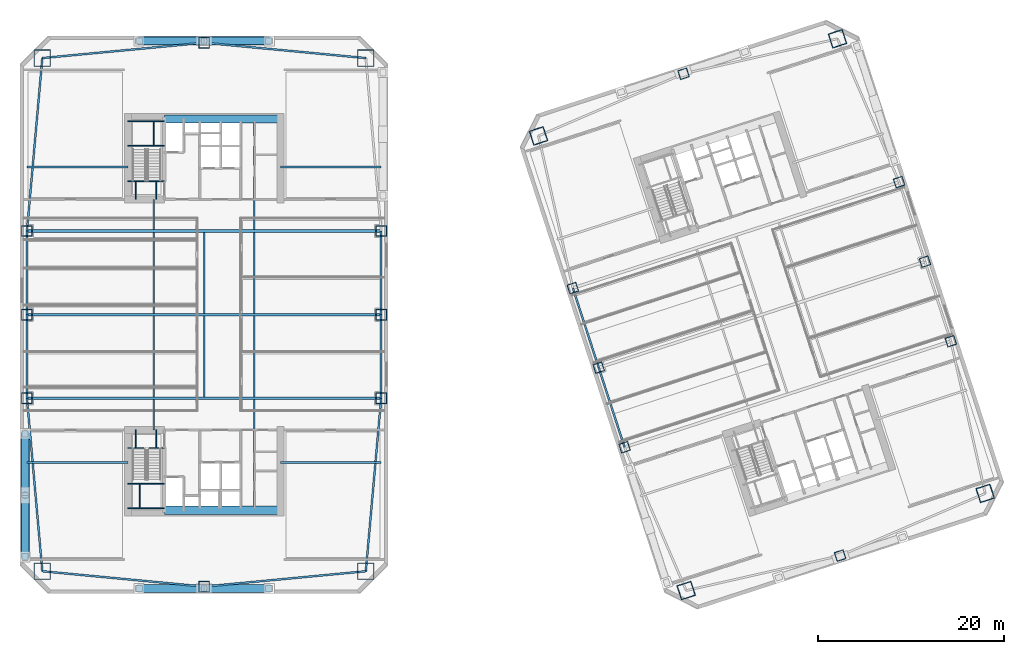
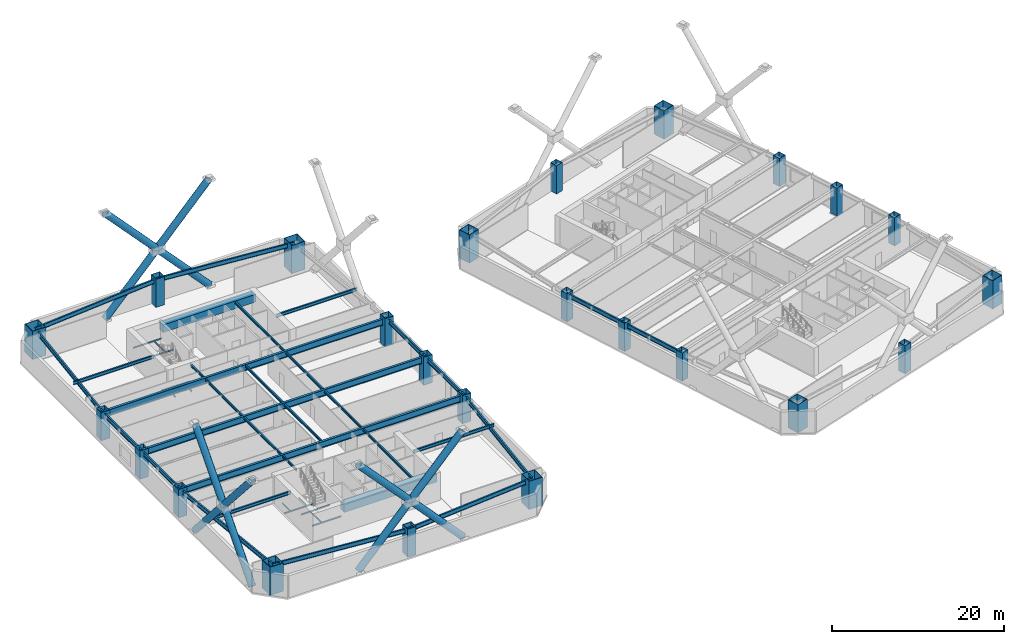
# One storey, part 1 of 18: 44 beams, 24 columns, 12 members.
"""IFC4 building model written with IfcOpenShell, lengths in metres."""

from ifc_helpers import new_model, si_unit, direction, frame, origin, origin_2d, place, context, subcontext, project, spatial, rectangle, hollow_rectangle, hollow_circle, i_section, extrude, material, material_profile, profile_set, type_object, element, save


model = new_model("IFC4")

# Units and contexts
model_context = context("Model", 3, precision=1e-05, world=origin(), true_north=direction((0.0, 1.0)))
body_context = subcontext(model_context, "Body", "Model", "MODEL_VIEW")
ifc_project = project(units=[si_unit("LENGTHUNIT", "METRE"), si_unit("AREAUNIT", "SQUARE_METRE"), si_unit("VOLUMEUNIT", "CUBIC_METRE"), si_unit("PLANEANGLEUNIT", "RADIAN"), si_unit("MASSUNIT", "GRAM", prefix="KILO")], contexts=[model_context])

# Site, building, storey
site_placement = place(None, origin())
site = spatial("IfcSite", under=ifc_project, at=site_placement, CompositionType="ELEMENT")
building_placement = place(site_placement, origin())
building = spatial("IfcBuilding", under=site, at=building_placement, Name="Qiaolan Cultural Towers", CompositionType="ELEMENT")
storey_placement = place(building_placement, frame((0.0, 0.0, 42.0)))
storey = spatial("IfcBuildingStorey", under=building, at=storey_placement, Name="L09", CompositionType="ELEMENT", Elevation=42.0)

# Columns
ifc_material_1 = material(Name="Steel Q355B", Category="steel")
ifc_material_profile_1 = material_profile(ifc_material_1, hollow_rectangle(XDim=1.0, YDim=1.0, WallThickness=0.035888671875, at=origin_2d()), Name="BOX1000x1000x36")
ifc_profile_set_1 = profile_set([ifc_material_profile_1], Name="Steel Q355B")
column_type_1 = type_object("IfcColumnType", Name="COL-BOX1000x1000x36", PredefinedType="COLUMN", material=ifc_profile_set_1)
for number, where, z_axis, x_axis, name in (
    (1, (75.234130859375, 19.739013671875, 0.0), (0.0, 0.0, 1.0), (0.951056516295, 0.309016994375, 0.0), "L09 T2 Perimeter Column PC-W1"),
    (2, (72.453125, 28.298583984375, 0.0), (0.0, 0.0, 1.0), (0.951056516295, 0.309016994375, 0.0), "L09 T2 Perimeter Column PC-W2"),
    (3, (69.671875, 36.858154296875, 0.0), (0.0, 0.0, 1.0), (0.951056516295, 0.309016994375, 0.0), "L09 T2 Perimeter Column PC-W3"),
    (4, (110.328125, 31.141845703125, 0.0), (0.0, 0.0, 1.0), (0.951056516295, 0.309016994375, 0.0), "L09 T2 Perimeter Column PC-E1"),
    (5, (107.546875, 39.701416015625, 0.0), (0.0, 0.0, 1.0), (0.951056516295, 0.309016994375, 0.0), "L09 T2 Perimeter Column PC-E2"),
    (6, (104.765869140625, 48.260986328125, 0.0), (0.0, 0.0, 1.0), (0.951056516295, 0.309016994375, 0.0), "L09 T2 Perimeter Column PC-E3"),
    (7, (98.420654296875, 8.083740234375, 0.0), (0.0, 0.0, 1.0), (0.951056516295, 0.309016994375, 0.0), "L09 T2 Perimeter Column PC-S0"),
    (8, (81.579345703125, 59.916259765625, 0.0), (0.0, 0.0, 1.0), (0.951056516295, 0.309016994375, 0.0), "L09 T2 Perimeter Column PC-N0"),
):
    element("IfcColumn", number, at=place(storey_placement, frame(where, z_axis=z_axis, x_axis=x_axis)), inside=storey, type_object=column_type_1, Name=name, PredefinedType="COLUMN", context=body_context, shape_type="SweptSolid", body=[
        extrude(hollow_rectangle(XDim=1.0, YDim=1.0, WallThickness=0.035888671875, at=origin_2d()), origin(), (0.0, 0.0, 1.0), 4.0009765625),
    ])
ifc_material_2 = material(Name="Steel Q390GJB", Category="steel")
ifc_material_profile_2 = material_profile(ifc_material_2, hollow_rectangle(XDim=1.14990234375, YDim=1.14990234375, WallThickness=0.0400390625, at=origin_2d()), Name="BOX1150x1150x40")
ifc_profile_set_2 = profile_set([ifc_material_profile_2], Name="Steel Q390GJB")
column_type_2 = type_object("IfcColumnType", Name="COL-BOX1150x1150x40", PredefinedType="COLUMN", material=ifc_profile_set_2)
for number, where, z_axis, x_axis, name in (
    (9, (10.949951171875, 25.0, 0.0), (0.0, 0.0, 1.0), (1.0, 0.0, 0.0), "L09 T1 Perimeter Column PC-W1"),
    (10, (10.949951171875, 34.0, 0.0), (0.0, 0.0, 1.0), (1.0, 0.0, 0.0), "L09 T1 Perimeter Column PC-W2"),
    (11, (10.949951171875, 43.0, 0.0), (0.0, 0.0, 1.0), (1.0, 0.0, 0.0), "L09 T1 Perimeter Column PC-W3"),
    (12, (49.050048828125, 25.0, 0.0), (0.0, 0.0, 1.0), (1.0, 0.0, 0.0), "L09 T1 Perimeter Column PC-E1"),
    (13, (49.050048828125, 34.0, 0.0), (0.0, 0.0, 1.0), (1.0, 0.0, 0.0), "L09 T1 Perimeter Column PC-E2"),
    (14, (49.050048828125, 43.0, 0.0), (0.0, 0.0, 1.0), (1.0, 0.0, 0.0), "L09 T1 Perimeter Column PC-E3"),
    (15, (30.0, 4.75, 0.0), (0.0, 0.0, 1.0), (1.0, 0.0, 0.0), "L09 T1 Perimeter Column PC-S0"),
    (16, (30.0, 63.25, 0.0), (0.0, 0.0, 1.0), (1.0, 0.0, 0.0), "L09 T1 Perimeter Column PC-N0"),
):
    element("IfcColumn", number, at=place(storey_placement, frame(where, z_axis=z_axis, x_axis=x_axis)), inside=storey, type_object=column_type_2, Name=name, PredefinedType="COLUMN", context=body_context, shape_type="SweptSolid", body=[
        extrude(hollow_rectangle(XDim=1.14990234375, YDim=1.14990234375, WallThickness=0.0400390625, at=origin_2d()), origin(), (0.0, 0.0, 1.0), 4.0009765625),
    ])
ifc_material_3 = material(Name="Steel Q420GJB", Category="steel")
ifc_material_profile_3 = material_profile(ifc_material_3, hollow_rectangle(XDim=1.60009765625, YDim=1.60009765625, WallThickness=0.054931640625, at=origin_2d()), Name="BOX1600x1600x55")
ifc_profile_set_3 = profile_set([ifc_material_profile_3], Name="Steel Q420GJB")
column_type_3 = type_object("IfcColumnType", Name="COL-BOX1600x1600x55", PredefinedType="COLUMN", material=ifc_profile_set_3)
for number, where, z_axis, x_axis, name in (
    (17, (81.862548828125, 4.32275390625, 0.0), (0.0, 0.0, 1.0), (0.951056516295, 0.309016994375, 0.0), "L09 T2 Perimeter Column MC-SW"),
    (18, (114.027099609375, 14.77392578125, 0.0), (0.0, 0.0, 1.0), (0.951056516295, 0.309016994375, 0.0), "L09 T2 Perimeter Column MC-SE"),
    (19, (98.137451171875, 63.67724609375, 0.0), (0.0, 0.0, 1.0), (0.951056516295, 0.309016994375, 0.0), "L09 T2 Perimeter Column MC-NE"),
    (20, (65.972900390625, 53.22607421875, 0.0), (0.0, 0.0, 1.0), (0.951056516295, 0.309016994375, 0.0), "L09 T2 Perimeter Column MC-NW"),
):
    element("IfcColumn", number, at=place(storey_placement, frame(where, z_axis=z_axis, x_axis=x_axis)), inside=storey, type_object=column_type_3, Name=name, PredefinedType="COLUMN", context=body_context, shape_type="SweptSolid", body=[
        extrude(hollow_rectangle(XDim=1.60009765625, YDim=1.60009765625, WallThickness=0.054931640625, at=origin_2d()), origin(), (0.0, 0.0, 1.0), 4.0009765625),
    ])
ifc_material_4 = material(Name="Steel Q420GJB", Category="steel")
ifc_material_profile_4 = material_profile(ifc_material_4, hollow_rectangle(XDim=1.800048828125, YDim=1.800048828125, WallThickness=0.06005859375, at=origin_2d()), Name="BOX1800x1800x60")
ifc_profile_set_4 = profile_set([ifc_material_profile_4], Name="Steel Q420GJB")
column_type_4 = type_object("IfcColumnType", Name="COL-BOX1800x1800x60", PredefinedType="COLUMN", material=ifc_profile_set_4)
for number, where, z_axis, x_axis, name in (
    (21, (12.60009765625, 6.39990234375, 0.0), (0.0, 0.0, 1.0), (1.0, 0.0, 0.0), "L09 T1 Perimeter Column MC-SW"),
    (22, (47.39990234375, 6.39990234375, 0.0), (0.0, 0.0, 1.0), (1.0, 0.0, 0.0), "L09 T1 Perimeter Column MC-SE"),
    (23, (47.39990234375, 61.60009765625, 0.0), (0.0, 0.0, 1.0), (1.0, 0.0, 0.0), "L09 T1 Perimeter Column MC-NE"),
    (24, (12.60009765625, 61.60009765625, 0.0), (0.0, 0.0, 1.0), (1.0, 0.0, 0.0), "L09 T1 Perimeter Column MC-NW"),
):
    element("IfcColumn", number, at=place(storey_placement, frame(where, z_axis=z_axis, x_axis=x_axis)), inside=storey, type_object=column_type_4, Name=name, PredefinedType="COLUMN", context=body_context, shape_type="SweptSolid", body=[
        extrude(hollow_rectangle(XDim=1.800048828125, YDim=1.800048828125, WallThickness=0.06005859375, at=origin_2d()), origin(), (0.0, 0.0, 1.0), 4.0009765625),
    ])

# Beams
ifc_material_5 = material(Name="Steel Q355B", Category="steel")
ifc_material_profile_5 = material_profile(ifc_material_5, i_section(OverallWidth=0.300048828125, OverallDepth=0.89990234375, WebThickness=0.01611328125, FlangeThickness=0.028076171875, at=origin_2d()), Name="HN900x300x16x28")
ifc_profile_set_5 = profile_set([ifc_material_profile_5], Name="Steel Q355B")
beam_type_1 = type_object("IfcBeamType", Name="BM-HN900x300x16x28", PredefinedType="BEAM", material=ifc_profile_set_5)
for number, where, z_axis, x_axis, name in (
    (25, (10.949951171875, 25.0, 3.27001953125), (1.0, 0.0, 0.0), (0.0, 1.0, 0.0), "L09 T1 Primary Transverse Girder V1"),
    (26, (10.949951171875, 34.0, 3.27001953125), (1.0, 0.0, 0.0), (0.0, 1.0, 0.0), "L09 T1 Primary Transverse Girder V2"),
    (27, (10.949951171875, 43.0, 3.27001953125), (1.0, 0.0, 0.0), (0.0, 1.0, 0.0), "L09 T1 Primary Transverse Girder V3"),
):
    element("IfcBeam", number, at=place(storey_placement, frame(where, z_axis=z_axis, x_axis=x_axis)), inside=storey, type_object=beam_type_1, Name=name, PredefinedType="BEAM", context=body_context, shape_type="SweptSolid", body=[
        extrude(i_section(OverallWidth=0.300048828125, OverallDepth=0.89990234375, WebThickness=0.01611328125, FlangeThickness=0.028076171875, at=origin_2d()), origin(), (0.0, 0.0, 1.0), 38.10009765625),
    ])
ifc_material_6 = material(Name="Steel Q355B", Category="steel")
ifc_material_profile_6 = material_profile(ifc_material_6, i_section(OverallWidth=0.175048828125, OverallDepth=0.35009765625, WebThickness=0.007080078125, FlangeThickness=0.010986328125, at=origin_2d()), Name="HN350x175x7x11")
ifc_profile_set_6 = profile_set([ifc_material_profile_6], Name="Steel Q355B")
beam_type_2 = type_object("IfcBeamType", Name="BM-JST-HN350x175x7x11", PredefinedType="JOIST", material=ifc_profile_set_6)
beam_1_placement = place(storey_placement, frame((24.60009765625, 21.60009765625, 3.544921875), z_axis=(0.0, 1.0, 0.0), x_axis=(-1.0, 0.0, 0.0)))
element("IfcBeam", 28, at=beam_1_placement, inside=storey, type_object=beam_type_2, Name="L09 T1 Secondary Floor Joist U1-1", PredefinedType="JOIST", context=body_context, shape_type="SweptSolid", body=[
    extrude(i_section(OverallWidth=0.175048828125, OverallDepth=0.35009765625, WebThickness=0.007080078125, FlangeThickness=0.010986328125, at=origin_2d()), origin(), (0.0, 0.0, 1.0), 3.25),
])
for number, where, z_axis, x_axis, name in (
    (29, (24.60009765625, 25.14990234375, 3.544921875), (0.0, 1.0, 0.0), (-1.0, 0.0, 0.0), "L09 T1 Secondary Floor Joist U1-2"),
    (30, (24.60009765625, 34.14990234375, 3.544921875), (0.0, 1.0, 0.0), (-1.0, 0.0, 0.0), "L09 T1 Secondary Floor Joist U1-3"),
):
    element("IfcBeam", number, at=place(storey_placement, frame(where, z_axis=z_axis, x_axis=x_axis)), inside=storey, type_object=beam_type_2, Name=name, PredefinedType="JOIST", context=body_context, shape_type="SweptSolid", body=[
        extrude(i_section(OverallWidth=0.175048828125, OverallDepth=0.35009765625, WebThickness=0.007080078125, FlangeThickness=0.010986328125, at=origin_2d()), origin(), (0.0, 0.0, 1.0), 8.7001953125),
    ])
beam_2_placement = place(storey_placement, frame((24.60009765625, 43.14990234375, 3.544921875), z_axis=(0.0, 1.0, 0.0), x_axis=(-1.0, 0.0, 0.0)))
element("IfcBeam", 31, at=beam_2_placement, inside=storey, type_object=beam_type_2, Name="L09 T1 Secondary Floor Joist U1-4", PredefinedType="JOIST", context=body_context, shape_type="SweptSolid", body=[
    extrude(i_section(OverallWidth=0.175048828125, OverallDepth=0.35009765625, WebThickness=0.007080078125, FlangeThickness=0.010986328125, at=origin_2d()), origin(), (0.0, 0.0, 1.0), 3.25),
])
for number, where, z_axis, x_axis, name in (
    (32, (30.0, 25.14990234375, 3.544921875), (0.0, 1.0, 0.0), (-1.0, 0.0, 0.0), "L09 T1 Secondary Floor Joist U2-2"),
    (33, (30.0, 34.14990234375, 3.544921875), (0.0, 1.0, 0.0), (-1.0, 0.0, 0.0), "L09 T1 Secondary Floor Joist U2-3"),
):
    element("IfcBeam", number, at=place(storey_placement, frame(where, z_axis=z_axis, x_axis=x_axis)), inside=storey, type_object=beam_type_2, Name=name, PredefinedType="JOIST", context=body_context, shape_type="SweptSolid", body=[
        extrude(i_section(OverallWidth=0.175048828125, OverallDepth=0.35009765625, WebThickness=0.007080078125, FlangeThickness=0.010986328125, at=origin_2d()), origin(), (0.0, 0.0, 1.0), 8.7001953125),
    ])
beam_3_placement = place(storey_placement, frame((35.39990234375, 13.39990234375, 3.544921875), z_axis=(0.0, 1.0, 0.0), x_axis=(-1.0, 0.0, 0.0)))
element("IfcBeam", 34, at=beam_3_placement, inside=storey, type_object=beam_type_2, Name="L09 T1 Secondary Floor Joist U3-1", PredefinedType="JOIST", context=body_context, shape_type="SweptSolid", body=[
    extrude(i_section(OverallWidth=0.175048828125, OverallDepth=0.35009765625, WebThickness=0.007080078125, FlangeThickness=0.010986328125, at=origin_2d()), origin(), (0.0, 0.0, 1.0), 11.4501953125),
])
for number, where, z_axis, x_axis, name in (
    (35, (35.39990234375, 25.14990234375, 3.544921875), (0.0, 1.0, 0.0), (-1.0, 0.0, 0.0), "L09 T1 Secondary Floor Joist U3-2"),
    (36, (35.39990234375, 34.14990234375, 3.544921875), (0.0, 1.0, 0.0), (-1.0, 0.0, 0.0), "L09 T1 Secondary Floor Joist U3-3"),
):
    element("IfcBeam", number, at=place(storey_placement, frame(where, z_axis=z_axis, x_axis=x_axis)), inside=storey, type_object=beam_type_2, Name=name, PredefinedType="JOIST", context=body_context, shape_type="SweptSolid", body=[
        extrude(i_section(OverallWidth=0.175048828125, OverallDepth=0.35009765625, WebThickness=0.007080078125, FlangeThickness=0.010986328125, at=origin_2d()), origin(), (0.0, 0.0, 1.0), 8.7001953125),
    ])
beam_4_placement = place(storey_placement, frame((35.39990234375, 43.14990234375, 3.544921875), z_axis=(0.0, 1.0, 0.0), x_axis=(-1.0, 0.0, 0.0)))
element("IfcBeam", 37, at=beam_4_placement, inside=storey, type_object=beam_type_2, Name="L09 T1 Secondary Floor Joist U3-4", PredefinedType="JOIST", context=body_context, shape_type="SweptSolid", body=[
    extrude(i_section(OverallWidth=0.175048828125, OverallDepth=0.35009765625, WebThickness=0.007080078125, FlangeThickness=0.010986328125, at=origin_2d()), origin(), (0.0, 0.0, 1.0), 11.4501953125),
])
ifc_material_7 = material(Name="Steel Q355B", Category="steel")
ifc_material_profile_7 = material_profile(ifc_material_7, i_section(OverallWidth=0.199951171875, OverallDepth=0.449951171875, WebThickness=0.009033203125, FlangeThickness=0.013916015625, at=origin_2d()), Name="HN450x200x9x14")
ifc_profile_set_7 = profile_set([ifc_material_profile_7], Name="Steel Q355B")
beam_type_3 = type_object("IfcBeamType", Name="BM-LNT-HN450x200x9x14", PredefinedType="LINTEL", material=ifc_profile_set_7)
for number, where, z_axis, x_axis, name in (
    (38, (21.800048828125, 18.10009765625, 3.4951171875), (-1.0, 0.0, 0.0), (0.0, -1.0, 0.0), "L09 T1 Core Flank Tie Lintel WS"),
    (39, (21.800048828125, 49.89990234375, 3.4951171875), (-1.0, 0.0, 0.0), (0.0, -1.0, 0.0), "L09 T1 Core Flank Tie Lintel WN"),
    (40, (38.199951171875, 18.10009765625, 3.4951171875), (1.0, 0.0, 0.0), (0.0, 1.0, 0.0), "L09 T1 Core Flank Tie Lintel ES"),
    (41, (38.199951171875, 49.89990234375, 3.4951171875), (1.0, 0.0, 0.0), (0.0, 1.0, 0.0), "L09 T1 Core Flank Tie Lintel EN"),
):
    element("IfcBeam", number, at=place(storey_placement, frame(where, z_axis=z_axis, x_axis=x_axis)), inside=storey, type_object=beam_type_3, Name=name, PredefinedType="LINTEL", context=body_context, shape_type="SweptSolid", body=[
        extrude(i_section(OverallWidth=0.199951171875, OverallDepth=0.449951171875, WebThickness=0.009033203125, FlangeThickness=0.013916015625, at=origin_2d()), origin(), (0.0, 0.0, 1.0), 10.85009765625),
    ])
ifc_material_8 = material(Name="Concrete C50", Category="concrete")
ifc_material_profile_8 = material_profile(ifc_material_8, rectangle(XDim=0.89990234375, YDim=1.10009765625, at=origin_2d()), Name="RC900x1100")
ifc_profile_set_8 = profile_set([ifc_material_profile_8], Name="Concrete C50")
beam_type_4 = type_object("IfcBeamType", Name="BM-RC900x1100", PredefinedType="BEAM", material=ifc_profile_set_8)
for number, where, z_axis, x_axis, name in (
    (42, (25.719970703125, 12.949951171875, 3.169921875), (1.0, 0.0, 0.0), (0.0, 1.0, 0.0), "L09 T1 Core Header Girder S"),
    (43, (25.719970703125, 55.050048828125, 3.169921875), (1.0, 0.0, 0.0), (0.0, 1.0, 0.0), "L09 T1 Core Header Girder N"),
):
    element("IfcBeam", number, at=place(storey_placement, frame(where, z_axis=z_axis, x_axis=x_axis)), inside=storey, type_object=beam_type_4, Name=name, PredefinedType="BEAM", context=body_context, shape_type="SweptSolid", body=[
        extrude(rectangle(XDim=0.89990234375, YDim=1.10009765625, at=origin_2d()), origin(), (0.0, 0.0, 1.0), 12.47998046875),
    ])
ifc_material_9 = material(Name="Steel Q355B", Category="steel")
ifc_material_profile_9 = material_profile(ifc_material_9, i_section(OverallWidth=0.199951171875, OverallDepth=0.60009765625, WebThickness=0.010986328125, FlangeThickness=0.01708984375, at=origin_2d()), Name="HN600x200x11x17")
ifc_profile_set_9 = profile_set([ifc_material_profile_9], Name="Steel Q355B")
beam_type_5 = type_object("IfcBeamType", Name="BM-SPD-HN600x200x11x17", PredefinedType="SPANDREL", material=ifc_profile_set_9)
for number, where, z_axis, x_axis, name in (
    (44, (12.60009765625, 6.39990234375, 3.419921875), (0.995534437156, -0.094399070104, 0.0), (0.094399070104, 0.995534437156, 0.0), "L09 T1 Perimeter Spandrel Beam 1"),
    (45, (30.0, 4.75, 3.419921875), (0.995534437156, 0.094399070104, 0.0), (-0.094399070104, 0.995534437156, 0.0), "L09 T1 Perimeter Spandrel Beam 2"),
):
    element("IfcBeam", number, at=place(storey_placement, frame(where, z_axis=z_axis, x_axis=x_axis)), inside=storey, type_object=beam_type_5, Name=name, PredefinedType="SPANDREL", context=body_context, shape_type="SweptSolid", body=[
        extrude(i_section(OverallWidth=0.199951171875, OverallDepth=0.60009765625, WebThickness=0.010986328125, FlangeThickness=0.01708984375, at=origin_2d()), origin(), (0.0, 0.0, 1.0), 17.47802734375),
    ])
beam_5_placement = place(storey_placement, frame((47.39990234375, 6.39990234375, 3.419921875), z_axis=(0.08837000091, 0.996087718496, 0.0), x_axis=(-0.996087718496, 0.08837000091, 0.0)))
element("IfcBeam", 46, at=beam_5_placement, inside=storey, type_object=beam_type_5, Name="L09 T1 Perimeter Spandrel Beam 3", PredefinedType="SPANDREL", context=body_context, shape_type="SweptSolid", body=[
    extrude(i_section(OverallWidth=0.199951171875, OverallDepth=0.60009765625, WebThickness=0.010986328125, FlangeThickness=0.01708984375, at=origin_2d()), origin(), (0.0, 0.0, 1.0), 18.673095703125),
])
for number, where, z_axis, x_axis, name in (
    (47, (49.050048828125, 25.0, 3.419921875), (0.0, 1.0, 0.0), (-1.0, 0.0, 0.0), "L09 T1 Perimeter Spandrel Beam 4"),
    (48, (49.050048828125, 34.0, 3.419921875), (0.0, 1.0, 0.0), (-1.0, 0.0, 0.0), "L09 T1 Perimeter Spandrel Beam 5"),
):
    element("IfcBeam", number, at=place(storey_placement, frame(where, z_axis=z_axis, x_axis=x_axis)), inside=storey, type_object=beam_type_5, Name=name, PredefinedType="SPANDREL", context=body_context, shape_type="SweptSolid", body=[
        extrude(i_section(OverallWidth=0.199951171875, OverallDepth=0.60009765625, WebThickness=0.010986328125, FlangeThickness=0.01708984375, at=origin_2d()), origin(), (0.0, 0.0, 1.0), 9.0),
    ])
for number, where, z_axis, x_axis, name in (
    (49, (47.39990234375, 61.60009765625, 3.419921875), (-0.995534437156, 0.094399070104, 0.0), (-0.094399070104, -0.995534437156, 0.0), "L09 T1 Perimeter Spandrel Beam 7"),
    (50, (30.0, 63.25, 3.419921875), (-0.995534437156, -0.094399070104, 0.0), (0.094399070104, -0.995534437156, 0.0), "L09 T1 Perimeter Spandrel Beam 8"),
):
    element("IfcBeam", number, at=place(storey_placement, frame(where, z_axis=z_axis, x_axis=x_axis)), inside=storey, type_object=beam_type_5, Name=name, PredefinedType="SPANDREL", context=body_context, shape_type="SweptSolid", body=[
        extrude(i_section(OverallWidth=0.199951171875, OverallDepth=0.60009765625, WebThickness=0.010986328125, FlangeThickness=0.01708984375, at=origin_2d()), origin(), (0.0, 0.0, 1.0), 17.47802734375),
    ])
beam_6_placement = place(storey_placement, frame((12.60009765625, 61.60009765625, 3.419921875), z_axis=(-0.08837000091, -0.996087718496, 0.0), x_axis=(0.996087718496, -0.08837000091, 0.0)))
element("IfcBeam", 51, at=beam_6_placement, inside=storey, type_object=beam_type_5, Name="L09 T1 Perimeter Spandrel Beam 9", PredefinedType="SPANDREL", context=body_context, shape_type="SweptSolid", body=[
    extrude(i_section(OverallWidth=0.199951171875, OverallDepth=0.60009765625, WebThickness=0.010986328125, FlangeThickness=0.01708984375, at=origin_2d()), origin(), (0.0, 0.0, 1.0), 18.673095703125),
])
for number, where, z_axis, x_axis, name in (
    (52, (10.949951171875, 43.0, 3.419921875), (0.0, -1.0, 0.0), (1.0, 0.0, 0.0), "L09 T1 Perimeter Spandrel Beam 10"),
    (53, (10.949951171875, 34.0, 3.419921875), (0.0, -1.0, 0.0), (1.0, 0.0, 0.0), "L09 T1 Perimeter Spandrel Beam 11"),
):
    element("IfcBeam", number, at=place(storey_placement, frame(where, z_axis=z_axis, x_axis=x_axis)), inside=storey, type_object=beam_type_5, Name=name, PredefinedType="SPANDREL", context=body_context, shape_type="SweptSolid", body=[
        extrude(i_section(OverallWidth=0.199951171875, OverallDepth=0.60009765625, WebThickness=0.010986328125, FlangeThickness=0.01708984375, at=origin_2d()), origin(), (0.0, 0.0, 1.0), 9.0),
    ])
beam_7_placement = place(storey_placement, frame((10.949951171875, 25.0, 3.419921875), z_axis=(0.08837000091, -0.996087718496, 0.0), x_axis=(0.996087718496, 0.08837000091, 0.0)))
element("IfcBeam", 54, at=beam_7_placement, inside=storey, type_object=beam_type_5, Name="L09 T1 Perimeter Spandrel Beam 12", PredefinedType="SPANDREL", context=body_context, shape_type="SweptSolid", body=[
    extrude(i_section(OverallWidth=0.199951171875, OverallDepth=0.60009765625, WebThickness=0.010986328125, FlangeThickness=0.01708984375, at=origin_2d()), origin(), (0.0, 0.0, 1.0), 18.673095703125),
])
for number, where, z_axis, x_axis, name in (
    (55, (69.671875, 36.858154296875, 3.419921875), (0.309024734286, -0.951054001411, 0.0), (0.951054001411, 0.309024734286, 0.0), "L09 T2 Perimeter Spandrel Beam 10"),
    (56, (72.453125, 28.298583984375, 3.419921875), (0.309000197986, -0.951061973609, 0.0), (0.951061973609, 0.309000197986, 0.0), "L09 T2 Perimeter Spandrel Beam 11"),
):
    element("IfcBeam", number, at=place(storey_placement, frame(where, z_axis=z_axis, x_axis=x_axis)), inside=storey, type_object=beam_type_5, Name=name, PredefinedType="SPANDREL", context=body_context, shape_type="SweptSolid", body=[
        extrude(i_section(OverallWidth=0.199951171875, OverallDepth=0.60009765625, WebThickness=0.010986328125, FlangeThickness=0.01708984375, at=origin_2d()), origin(), (0.0, 0.0, 1.0), 9.0),
    ])
ifc_material_10 = material(Name="Steel Q355B", Category="steel")
ifc_material_profile_10 = material_profile(ifc_material_10, i_section(OverallWidth=0.10009765625, OverallDepth=0.199951171875, WebThickness=0.005615234375, FlangeThickness=0.008056640625, at=origin_2d()), Name="HN200x100x5.5x8")
ifc_profile_set_10 = profile_set([ifc_material_profile_10], Name="Steel Q355B")
beam_type_6 = type_object("IfcBeamType", Name="BM-STTRIM-200", PredefinedType="BEAM", material=ifc_profile_set_10)
beam_8_placement = place(storey_placement, frame((21.800048828125, 19.659912109375, -0.4599609375), z_axis=(1.0, 0.0, 0.0), x_axis=(0.0, 1.0, 0.0)))
element("IfcBeam", 57, at=beam_8_placement, inside=storey, type_object=beam_type_6, Name="L09 ST-W1 Floor Landing Header Beam", PredefinedType="BEAM", context=body_context, shape_type="SweptSolid", body=[
    extrude(i_section(OverallWidth=0.10009765625, OverallDepth=0.199951171875, WebThickness=0.005615234375, FlangeThickness=0.008056640625, at=origin_2d()), origin(), (0.0, 0.0, 1.0), 3.919921875),
])
for number, where, z_axis, x_axis, name in (
    (58, (22.64990234375, 21.60009765625, -0.4599609375), (0.0, -1.0, 0.0), (1.0, 0.0, 0.0), "L09 ST-W1 Floor Landing Stringer 1"),
    (59, (24.85009765625, 21.60009765625, -0.4599609375), (0.0, -1.0, 0.0), (1.0, 0.0, 0.0), "L09 ST-W1 Floor Landing Stringer 2"),
):
    element("IfcBeam", number, at=place(storey_placement, frame(where, z_axis=z_axis, x_axis=x_axis)), inside=storey, type_object=beam_type_6, Name=name, PredefinedType="BEAM", context=body_context, shape_type="SweptSolid", body=[
        extrude(i_section(OverallWidth=0.10009765625, OverallDepth=0.199951171875, WebThickness=0.005615234375, FlangeThickness=0.008056640625, at=origin_2d()), origin(), (0.0, 0.0, 1.0), 1.940185546875),
    ])
for number, where, z_axis, x_axis, name in (
    (60, (21.800048828125, 15.811279296875, 1.699951171875), (1.0, 0.0, 0.0), (0.0, 1.0, 0.0), "L09 ST-W1 Stair Landing Support Beam 1-1"),
    (61, (21.800048828125, 13.179931640625, 1.699951171875), (1.0, 0.0, 0.0), (0.0, 1.0, 0.0), "L09 ST-W1 Stair Landing Support Beam 1-2"),
):
    element("IfcBeam", number, at=place(storey_placement, frame(where, z_axis=z_axis, x_axis=x_axis)), inside=storey, type_object=beam_type_6, Name=name, PredefinedType="BEAM", context=body_context, shape_type="SweptSolid", body=[
        extrude(i_section(OverallWidth=0.10009765625, OverallDepth=0.199951171875, WebThickness=0.005615234375, FlangeThickness=0.008056640625, at=origin_2d()), origin(), (0.0, 0.0, 1.0), 3.919921875),
    ])
beam_9_placement = place(storey_placement, frame((23.070068359375, 15.811279296875, 1.699951171875), z_axis=(0.0, -1.0, 0.0), x_axis=(1.0, 0.0, 0.0)))
element("IfcBeam", 62, at=beam_9_placement, inside=storey, type_object=beam_type_6, Name="L09 ST-W1 Stair Landing Trimmer 1", PredefinedType="BEAM", context=body_context, shape_type="SweptSolid", body=[
    extrude(i_section(OverallWidth=0.10009765625, OverallDepth=0.199951171875, WebThickness=0.005615234375, FlangeThickness=0.008056640625, at=origin_2d()), origin(), (0.0, 0.0, 1.0), 2.63134765625),
])
beam_10_placement = place(storey_placement, frame((21.800048828125, 48.340087890625, -0.4599609375), z_axis=(1.0, 0.0, 0.0), x_axis=(0.0, 1.0, 0.0)))
element("IfcBeam", 63, at=beam_10_placement, inside=storey, type_object=beam_type_6, Name="L09 ST-W2 Floor Landing Header Beam", PredefinedType="BEAM", context=body_context, shape_type="SweptSolid", body=[
    extrude(i_section(OverallWidth=0.10009765625, OverallDepth=0.199951171875, WebThickness=0.005615234375, FlangeThickness=0.008056640625, at=origin_2d()), origin(), (0.0, 0.0, 1.0), 3.919921875),
])
for number, where, z_axis, x_axis, name in (
    (64, (22.64990234375, 46.39990234375, -0.4599609375), (0.0, 1.0, 0.0), (-1.0, 0.0, 0.0), "L09 ST-W2 Floor Landing Stringer 1"),
    (65, (24.85009765625, 46.39990234375, -0.4599609375), (0.0, 1.0, 0.0), (-1.0, 0.0, 0.0), "L09 ST-W2 Floor Landing Stringer 2"),
):
    element("IfcBeam", number, at=place(storey_placement, frame(where, z_axis=z_axis, x_axis=x_axis)), inside=storey, type_object=beam_type_6, Name=name, PredefinedType="BEAM", context=body_context, shape_type="SweptSolid", body=[
        extrude(i_section(OverallWidth=0.10009765625, OverallDepth=0.199951171875, WebThickness=0.005615234375, FlangeThickness=0.008056640625, at=origin_2d()), origin(), (0.0, 0.0, 1.0), 1.940185546875),
    ])
for number, where, z_axis, x_axis, name in (
    (66, (21.800048828125, 52.188720703125, 1.699951171875), (1.0, 0.0, 0.0), (0.0, 1.0, 0.0), "L09 ST-W2 Stair Landing Support Beam 1-1"),
    (67, (21.800048828125, 54.820068359375, 1.699951171875), (1.0, 0.0, 0.0), (0.0, 1.0, 0.0), "L09 ST-W2 Stair Landing Support Beam 1-2"),
):
    element("IfcBeam", number, at=place(storey_placement, frame(where, z_axis=z_axis, x_axis=x_axis)), inside=storey, type_object=beam_type_6, Name=name, PredefinedType="BEAM", context=body_context, shape_type="SweptSolid", body=[
        extrude(i_section(OverallWidth=0.10009765625, OverallDepth=0.199951171875, WebThickness=0.005615234375, FlangeThickness=0.008056640625, at=origin_2d()), origin(), (0.0, 0.0, 1.0), 3.919921875),
    ])
beam_11_placement = place(storey_placement, frame((24.610107421875, 52.188720703125, 1.699951171875), z_axis=(0.0, 1.0, 0.0), x_axis=(-1.0, 0.0, 0.0)))
element("IfcBeam", 68, at=beam_11_placement, inside=storey, type_object=beam_type_6, Name="L09 ST-W2 Stair Landing Trimmer 1", PredefinedType="BEAM", context=body_context, shape_type="SweptSolid", body=[
    extrude(i_section(OverallWidth=0.10009765625, OverallDepth=0.199951171875, WebThickness=0.005615234375, FlangeThickness=0.008056640625, at=origin_2d()), origin(), (0.0, 0.0, 1.0), 2.63134765625),
])

# Members
ifc_material_11 = material(Name="Steel Q390GJB", Category="steel")
ifc_material_profile_11 = material_profile(ifc_material_11, hollow_circle(Radius=0.449951171875, WallThickness=0.044921875, at=origin_2d()), Name="CHS900x45")
ifc_profile_set_11 = profile_set([ifc_material_profile_11], Name="Steel Q390GJB")
member_type = type_object("IfcMemberType", Name="MBR-BRC-CHS900x45", PredefinedType="BRACE", material=ifc_profile_set_11)
member_1_placement = place(storey_placement, frame((10.75, 7.949951171875, 0.14990234375), z_axis=(0.0, 0.660789268259, 0.750571477578), x_axis=(-1.0, 0.0, 0.0)))
element("IfcMember", 69, at=member_1_placement, inside=storey, type_object=member_type, Name="T1 WEST Perimeter Frame Diagonal W-Z1-M2-D1A", PredefinedType="BRACE", context=body_context, shape_type="SweptSolid", body=[
    extrude(hollow_circle(Radius=0.449951171875, WallThickness=0.044921875, at=origin_2d()), origin(), (0.0, 0.0, 1.0), 10.02587890625),
])
member_2_placement = place(storey_placement, frame((10.75, 14.574951171875, 7.675048828125), z_axis=(0.0, 0.660801345759, 0.750560844597), x_axis=(-1.0, 0.0, 0.0)))
element("IfcMember", 70, at=member_2_placement, inside=storey, type_object=member_type, Name="T1 WEST Perimeter Frame Diagonal W-Z1-M2-D1B", PredefinedType="BRACE", context=body_context, shape_type="SweptSolid", body=[
    extrude(hollow_circle(Radius=0.449951171875, WallThickness=0.044921875, at=origin_2d()), origin(), (0.0, 0.0, 1.0), 10.025634765625),
])
member_3_placement = place(storey_placement, frame((10.75, 21.199951171875, 0.14990234375), z_axis=(0.0, -0.660789268259, 0.750571477578), x_axis=(1.0, 0.0, 0.0)))
element("IfcMember", 71, at=member_3_placement, inside=storey, type_object=member_type, Name="T1 WEST Perimeter Frame Diagonal W-Z1-M2-D2A", PredefinedType="BRACE", context=body_context, shape_type="SweptSolid", body=[
    extrude(hollow_circle(Radius=0.449951171875, WallThickness=0.044921875, at=origin_2d()), origin(), (0.0, 0.0, 1.0), 10.02587890625),
])
member_4_placement = place(storey_placement, frame((10.75, 14.574951171875, 7.675048828125), z_axis=(0.0, -0.660801345759, 0.750560844597), x_axis=(1.0, 0.0, 0.0)))
element("IfcMember", 72, at=member_4_placement, inside=storey, type_object=member_type, Name="T1 WEST Perimeter Frame Diagonal W-Z1-M2-D2B", PredefinedType="BRACE", context=body_context, shape_type="SweptSolid", body=[
    extrude(hollow_circle(Radius=0.449951171875, WallThickness=0.044921875, at=origin_2d()), origin(), (0.0, 0.0, 1.0), 10.025634765625),
])
member_5_placement = place(storey_placement, frame((23.0, 4.550048828125, 0.14990234375), z_axis=(0.68109683461, 0.0, 0.732193350069), x_axis=(0.0, 1.0, 0.0)))
element("IfcMember", 73, at=member_5_placement, inside=storey, type_object=member_type, Name="T1 SOUTH Perimeter Frame Diagonal W-Z1-M2-D1A", PredefinedType="BRACE", context=body_context, shape_type="SweptSolid", body=[
    extrude(hollow_circle(Radius=0.449951171875, WallThickness=0.044921875, at=origin_2d()), origin(), (0.0, 0.0, 1.0), 10.277587890625),
])
member_6_placement = place(storey_placement, frame((30.0, 4.550048828125, 7.675048828125), z_axis=(0.681108681103, 0.0, 0.732182330111), x_axis=(0.0, 1.0, 0.0)))
element("IfcMember", 74, at=member_6_placement, inside=storey, type_object=member_type, Name="T1 SOUTH Perimeter Frame Diagonal W-Z1-M2-D1B", PredefinedType="BRACE", context=body_context, shape_type="SweptSolid", body=[
    extrude(hollow_circle(Radius=0.449951171875, WallThickness=0.044921875, at=origin_2d()), origin(), (0.0, 0.0, 1.0), 10.27734375),
])
member_7_placement = place(storey_placement, frame((37.0, 4.550048828125, 0.14990234375), z_axis=(-0.68109683461, 0.0, 0.732193350069), x_axis=(0.0, -1.0, 0.0)))
element("IfcMember", 75, at=member_7_placement, inside=storey, type_object=member_type, Name="T1 SOUTH Perimeter Frame Diagonal W-Z1-M2-D2A", PredefinedType="BRACE", context=body_context, shape_type="SweptSolid", body=[
    extrude(hollow_circle(Radius=0.449951171875, WallThickness=0.044921875, at=origin_2d()), origin(), (0.0, 0.0, 1.0), 10.277587890625),
])
member_8_placement = place(storey_placement, frame((30.0, 4.550048828125, 7.675048828125), z_axis=(-0.681108681103, 0.0, 0.732182330111), x_axis=(0.0, -1.0, 0.0)))
element("IfcMember", 76, at=member_8_placement, inside=storey, type_object=member_type, Name="T1 SOUTH Perimeter Frame Diagonal W-Z1-M2-D2B", PredefinedType="BRACE", context=body_context, shape_type="SweptSolid", body=[
    extrude(hollow_circle(Radius=0.449951171875, WallThickness=0.044921875, at=origin_2d()), origin(), (0.0, 0.0, 1.0), 10.27734375),
])
member_9_placement = place(storey_placement, frame((23.0, 63.449951171875, 0.14990234375), z_axis=(0.68109683461, 0.0, 0.732193350069), x_axis=(0.0, 1.0, 0.0)))
element("IfcMember", 77, at=member_9_placement, inside=storey, type_object=member_type, Name="T1 NORTH Perimeter Frame Diagonal W-Z1-M2-D1A", PredefinedType="BRACE", context=body_context, shape_type="SweptSolid", body=[
    extrude(hollow_circle(Radius=0.449951171875, WallThickness=0.044921875, at=origin_2d()), origin(), (0.0, 0.0, 1.0), 10.277587890625),
])
member_10_placement = place(storey_placement, frame((30.0, 63.449951171875, 7.675048828125), z_axis=(0.681108681103, 0.0, 0.732182330111), x_axis=(0.0, 1.0, 0.0)))
element("IfcMember", 78, at=member_10_placement, inside=storey, type_object=member_type, Name="T1 NORTH Perimeter Frame Diagonal W-Z1-M2-D1B", PredefinedType="BRACE", context=body_context, shape_type="SweptSolid", body=[
    extrude(hollow_circle(Radius=0.449951171875, WallThickness=0.044921875, at=origin_2d()), origin(), (0.0, 0.0, 1.0), 10.27734375),
])
member_11_placement = place(storey_placement, frame((37.0, 63.449951171875, 0.14990234375), z_axis=(-0.68109683461, 0.0, 0.732193350069), x_axis=(0.0, -1.0, 0.0)))
element("IfcMember", 79, at=member_11_placement, inside=storey, type_object=member_type, Name="T1 NORTH Perimeter Frame Diagonal W-Z1-M2-D2A", PredefinedType="BRACE", context=body_context, shape_type="SweptSolid", body=[
    extrude(hollow_circle(Radius=0.449951171875, WallThickness=0.044921875, at=origin_2d()), origin(), (0.0, 0.0, 1.0), 10.277587890625),
])
member_12_placement = place(storey_placement, frame((30.0, 63.449951171875, 7.675048828125), z_axis=(-0.681108681103, 0.0, 0.732182330111), x_axis=(0.0, -1.0, 0.0)))
element("IfcMember", 80, at=member_12_placement, inside=storey, type_object=member_type, Name="T1 NORTH Perimeter Frame Diagonal W-Z1-M2-D2B", PredefinedType="BRACE", context=body_context, shape_type="SweptSolid", body=[
    extrude(hollow_circle(Radius=0.449951171875, WallThickness=0.044921875, at=origin_2d()), origin(), (0.0, 0.0, 1.0), 10.27734375),
])

save(model, "model.ifc")
